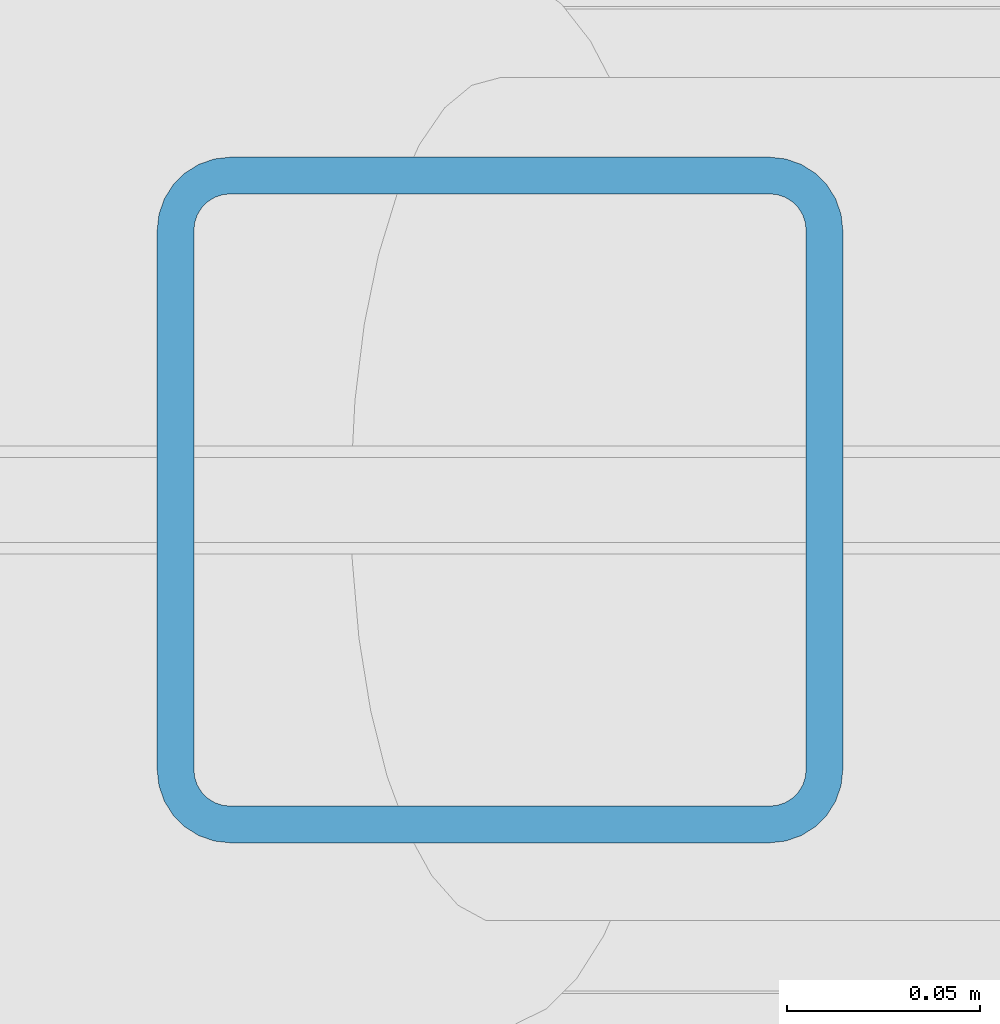
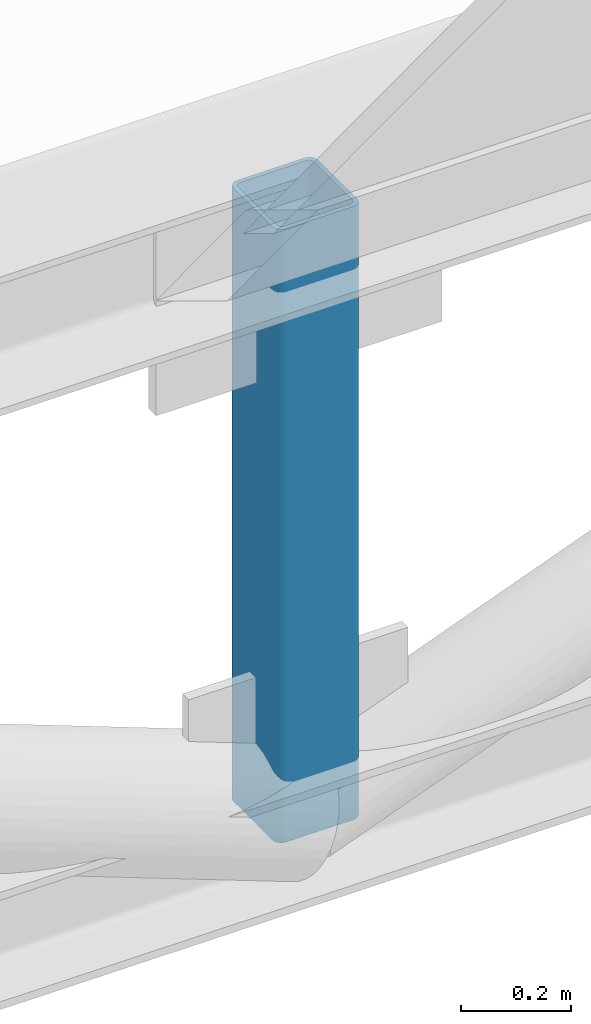
# One storey, part 30 of 98: 1 member.
"""IFC4 building model written with IfcOpenShell, lengths in metres."""

from ifc_helpers import new_model, si_unit, direction, frame, origin, origin_2d, place, context, subcontext, project, spatial, hollow_rectangle, extrude, material, material_profile, profile_set, type_object, element, save


model = new_model("IFC4")

# Units and contexts
model_context = context("Model", 3, precision=1e-05, world=origin(), true_north=direction((0.0, 1.0)))
body_context = subcontext(model_context, "Body", "Model", "MODEL_VIEW")
ifc_project = project(units=[si_unit("LENGTHUNIT", "METRE"), si_unit("AREAUNIT", "SQUARE_METRE"), si_unit("VOLUMEUNIT", "CUBIC_METRE"), si_unit("PLANEANGLEUNIT", "RADIAN"), si_unit("MASSUNIT", "GRAM", prefix="KILO")], contexts=[model_context])

# Site, building, storey
site_placement = place(None, origin())
site = spatial("IfcSite", under=ifc_project, at=site_placement, CompositionType="ELEMENT")
building_placement = place(site_placement, origin())
building = spatial("IfcBuilding", under=site, at=building_placement, Name="Solenvale Faculty of Natural Sciences", CompositionType="ELEMENT")
storey_placement = place(building_placement, frame((0.0, 0.0, 9.0)))
storey = spatial("IfcBuildingStorey", under=building, at=storey_placement, Name="L02", CompositionType="ELEMENT", Elevation=9.0)

# Member
ifc_material = material(Name="Steel S355", Category="steel")
ifc_material_profile = material_profile(ifc_material, hollow_rectangle(XDim=0.177978515625, YDim=0.177978515625, WallThickness=0.009521484375, InnerFilletRadius=0.009521484375, OuterFilletRadius=0.01904296875, at=origin_2d()), Name="HSS178x178x9.5")
ifc_profile_set = profile_set([ifc_material_profile], Name="Steel S355")
member_type = type_object("IfcMemberType", Name="MB-STR-HSS178", PredefinedType="STRUT", material=ifc_profile_set)
member_placement = place(storey_placement, frame((14.39990234375, 36.0, 0.68994140625), z_axis=(0.0, 0.0, 1.0), x_axis=(1.0, 0.0, 0.0)))
element("IfcMember", 1, at=member_placement, inside=storey, type_object=member_type, Name="V1 Truss 5.1 Strut 4", PredefinedType="STRUT", context=body_context, shape_type="SweptSolid", body=[
    extrude(hollow_rectangle(XDim=0.177978515625, YDim=0.177978515625, WallThickness=0.009521484375, InnerFilletRadius=0.009521484375, OuterFilletRadius=0.01904296875, at=origin_2d()), origin(), (0.0, 0.0, 1.0), 1.360107421875),
])

save(model, "model.ifc")
